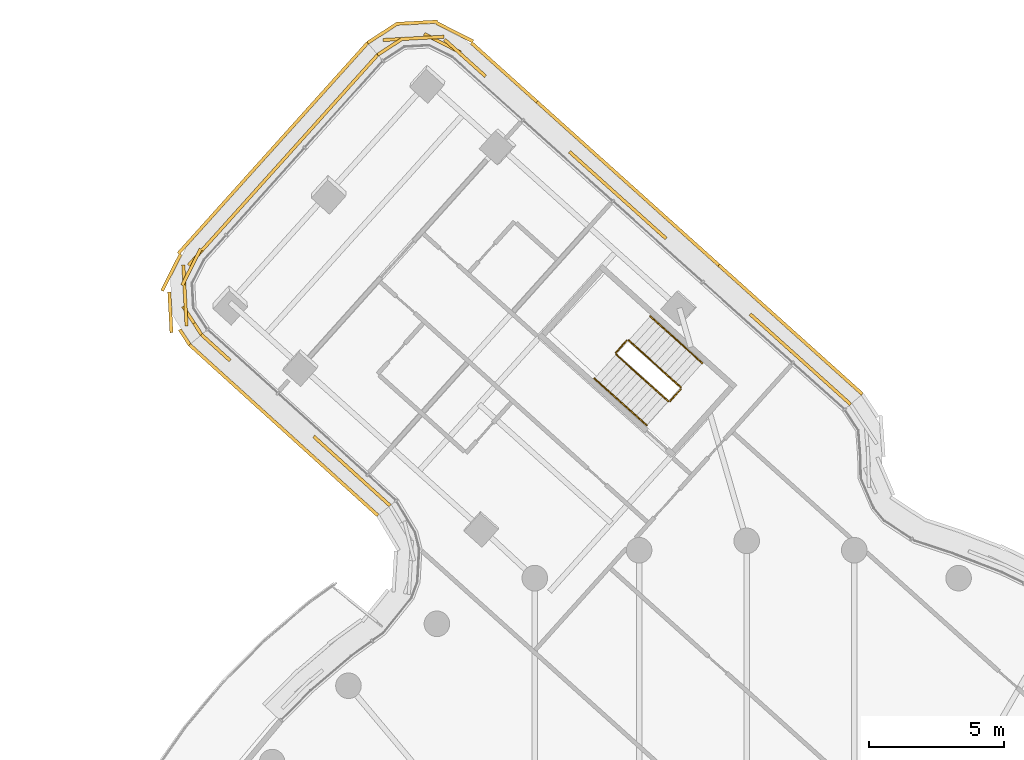
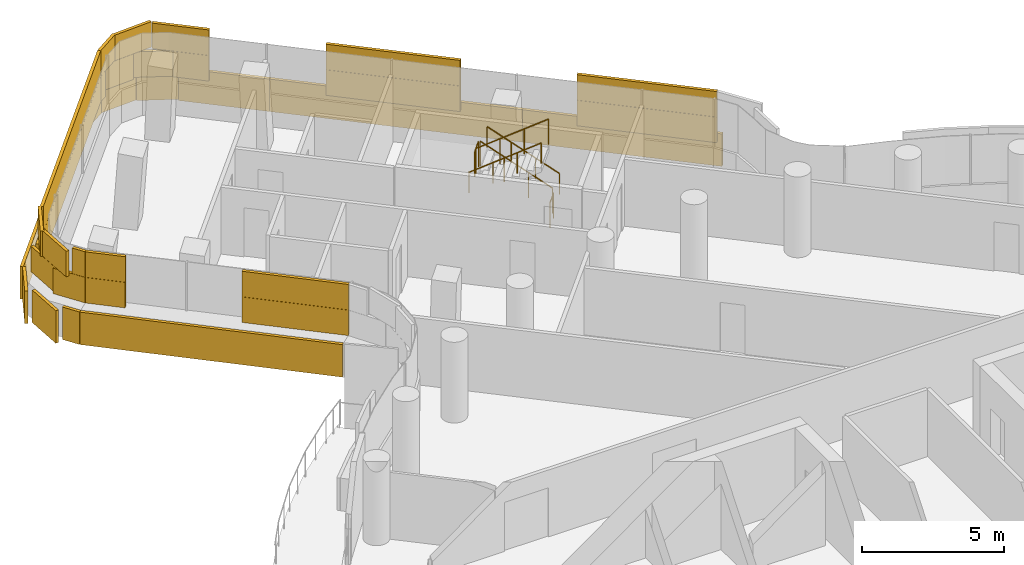
# One storey, part 29 of 31: 6 railings, 5 coverings.
"""IFC4 building model written with IfcOpenShell, lengths in metres."""

from ifc_helpers import new_model, si_unit, direction, frame, origin, origin_2d, place, context, subcontext, project, spatial, rectangle, circle, extrude, material, layer, layer_set, type_object, element, save


model = new_model("IFC4")

# Units and contexts
model_context = context("Model", 3, precision=1e-05, world=origin(), true_north=direction((0.0, 1.0)))
body_context = subcontext(model_context, "Body", "Model", "MODEL_VIEW")
ifc_project = project(units=[si_unit("LENGTHUNIT", "METRE"), si_unit("AREAUNIT", "SQUARE_METRE"), si_unit("VOLUMEUNIT", "CUBIC_METRE"), si_unit("PLANEANGLEUNIT", "RADIAN"), si_unit("MASSUNIT", "GRAM", prefix="KILO")], contexts=[model_context])

# Site, building, storey
site_placement = place(None, origin())
site = spatial("IfcSite", under=ifc_project, at=site_placement, CompositionType="ELEMENT")
building_placement = place(site_placement, origin())
building = spatial("IfcBuilding", under=site, at=building_placement, Name="Tamarind Cross Interchange Tower", CompositionType="ELEMENT")
storey_placement = place(building_placement, frame((0.0, 0.0, 207.699951171875)))
storey = spatial("IfcBuildingStorey", under=building, at=storey_placement, Name="L52", CompositionType="ELEMENT", Elevation=207.699951171875)

# Railings
ifc_material_1 = material(Name="Stair guard")
railing_type_1 = type_object("IfcRailingType", Name="Stair guard", PredefinedType="GUARDRAIL", material=ifc_material_1)
railing_1_placement = place(storey_placement, frame((-2.447265625, 28.702392578125, 0.16357421875)))
element("IfcRailing", 1, at=railing_1_placement, inside=storey, type_object=railing_type_1, Name="L52 ST4 stair guard 1", PredefinedType="GUARDRAIL", context=body_context, shape_type="SweptSolid", body=[
    extrude(circle(Radius=0.02392578125, at=origin_2d()), frame((0.0, 0.0, 1.076171875), z_axis=(-0.629535204476, 0.565643976958, 0.532665296087), x_axis=(-0.668352364513, -0.743844820409, 0.0)), (0.0, 0.0, 1.0), 3.072265625),
    extrude(circle(Radius=0.02099609375, at=origin_2d()), origin(), (0.0, 0.0, 1.0), 1.052001953125),
    extrude(circle(Radius=0.02099609375, at=origin_2d()), frame((-0.644775390625, 0.579345703125, 0.54541015625)), (0.0, 0.0, 1.0), 1.052001953125),
    extrude(circle(Radius=0.02099609375, at=origin_2d()), frame((-1.289306640625, 1.158447265625, 1.091064453125)), (0.0, 0.0, 1.0), 1.052001953125),
    extrude(circle(Radius=0.02099609375, at=origin_2d()), frame((-1.93408203125, 1.73779296875, 1.636474609375)), (0.0, 0.0, 1.0), 1.052001953125),
])
railing_2_placement = place(storey_placement, frame((-4.451904296875, 30.436279296875, 1.800048828125)))
element("IfcRailing", 2, at=railing_2_placement, inside=storey, type_object=railing_type_1, Name="L52 ST4 stair guard 2", PredefinedType="GUARDRAIL", context=body_context, shape_type="SweptSolid", body=[
    extrude(circle(Radius=0.02392578125, at=origin_2d()), frame((0.0, 0.0, 1.076171875), z_axis=(-0.668470058281, -0.743739054496, 0.0), x_axis=(0.743739054496, -0.668470058281, 0.0)), (0.0, 0.0, 1.0), 0.60009765625),
    extrude(circle(Radius=0.02099609375, at=origin_2d()), origin(), (0.0, 0.0, 1.0), 1.052001953125),
    extrude(circle(Radius=0.02099609375, at=origin_2d()), frame((-0.401123046875, -0.4462890625, 0.0)), (0.0, 0.0, 1.0), 1.052001953125),
])
railing_3_placement = place(storey_placement, frame((-4.84912109375, 29.91943359375, 1.963623046875)))
element("IfcRailing", 3, at=railing_3_placement, inside=storey, type_object=railing_type_1, Name="L52 ST4 stair guard 3", PredefinedType="GUARDRAIL", context=body_context, shape_type="SweptSolid", body=[
    extrude(circle(Radius=0.02392578125, at=origin_2d()), frame((0.0, 0.0, 1.076171875), z_axis=(0.629515526102, -0.565618229929, 0.532715890855), x_axis=(0.668347091093, 0.743849558599, 0.0)), (0.0, 0.0, 1.0), 3.072021484375),
    extrude(circle(Radius=0.02099609375, at=origin_2d()), origin(), (0.0, 0.0, 1.0), 1.052001953125),
    extrude(circle(Radius=0.02099609375, at=origin_2d()), frame((0.64453125, -0.5791015625, 0.54541015625)), (0.0, 0.0, 1.0), 1.052001953125),
    extrude(circle(Radius=0.02099609375, at=origin_2d()), frame((1.289306640625, -1.158447265625, 1.091064453125)), (0.0, 0.0, 1.0), 1.052001953125),
    extrude(circle(Radius=0.02099609375, at=origin_2d()), frame((1.933837890625, -1.737548828125, 1.636474609375)), (0.0, 0.0, 1.0), 1.052001953125),
])
railing_4_placement = place(storey_placement, frame((-2.443603515625, 28.6318359375, 0.0)))
element("IfcRailing", 4, at=railing_4_placement, inside=storey, type_object=railing_type_1, Name="L52 ST4 stair guard 4", PredefinedType="GUARDRAIL", context=body_context, shape_type="SweptSolid", body=[
    extrude(circle(Radius=0.02392578125, at=origin_2d()), frame((0.0, 0.0, 1.076171875), z_axis=(-0.668244913049, -0.743941352651, 0.0), x_axis=(0.743941352651, -0.668244913049, 0.0)), (0.0, 0.0, 1.0), 0.599853515625),
    extrude(circle(Radius=0.02099609375, at=origin_2d()), origin(), (0.0, 0.0, 1.0), 1.052001953125),
    extrude(circle(Radius=0.02099609375, at=origin_2d()), frame((-0.40087890625, -0.4462890625, 0.0)), (0.0, 0.0, 1.0), 1.052001953125),
])
ifc_material_2 = material(Name="Stair handrail")
railing_type_2 = type_object("IfcRailingType", Name="Stair handrail", PredefinedType="HANDRAIL", material=ifc_material_2)
railing_5_placement = place(storey_placement, frame((-1.645263671875, 29.594970703125, 0.16357421875)))
element("IfcRailing", 5, at=railing_5_placement, inside=storey, type_object=railing_type_2, Name="L52 ST4 stair handrail 1", PredefinedType="HANDRAIL", context=body_context, shape_type="SweptSolid", body=[
    extrude(circle(Radius=0.02392578125, at=origin_2d()), frame((0.0, 0.0, 0.8759765625), z_axis=(-0.629535204476, 0.565643976958, 0.532665296087), x_axis=(-0.668352364513, -0.743844820409, 0.0)), (0.0, 0.0, 1.0), 3.072265625),
    extrude(circle(Radius=0.02099609375, at=origin_2d()), origin(), (0.0, 0.0, 1.0), 0.851806640625),
    extrude(circle(Radius=0.02099609375, at=origin_2d()), frame((-0.644775390625, 0.579345703125, 0.54541015625)), (0.0, 0.0, 1.0), 0.851806640625),
    extrude(circle(Radius=0.02099609375, at=origin_2d()), frame((-1.289306640625, 1.158447265625, 1.091064453125)), (0.0, 0.0, 1.0), 0.851806640625),
    extrude(circle(Radius=0.02099609375, at=origin_2d()), frame((-1.93408203125, 1.73779296875, 1.636474609375)), (0.0, 0.0, 1.0), 0.851806640625),
])
railing_6_placement = place(storey_placement, frame((-5.651123046875, 29.02685546875, 1.963623046875)))
element("IfcRailing", 6, at=railing_6_placement, inside=storey, type_object=railing_type_2, Name="L52 ST4 stair handrail 2", PredefinedType="HANDRAIL", context=body_context, shape_type="SweptSolid", body=[
    extrude(circle(Radius=0.02392578125, at=origin_2d()), frame((0.0, 0.0, 0.8759765625), z_axis=(0.629487227987, -0.565672274815, 0.532691944098), x_axis=(0.66839904694, 0.743802873112, 0.0)), (0.0, 0.0, 1.0), 3.072021484375),
    extrude(circle(Radius=0.02099609375, at=origin_2d()), origin(), (0.0, 0.0, 1.0), 0.851806640625),
    extrude(circle(Radius=0.02099609375, at=origin_2d()), frame((0.64453125, -0.579345703125, 0.54541015625)), (0.0, 0.0, 1.0), 0.851806640625),
    extrude(circle(Radius=0.02099609375, at=origin_2d()), frame((1.289306640625, -1.158447265625, 1.091064453125)), (0.0, 0.0, 1.0), 0.851806640625),
    extrude(circle(Radius=0.02099609375, at=origin_2d()), frame((1.933837890625, -1.73779296875, 1.636474609375)), (0.0, 0.0, 1.0), 0.851806640625),
])

# Coverings
ifc_material_3 = material(Name="Terracotta", Category="masonry")
ifc_layer = layer(ifc_material_3, 0.1201171875)
ifc_layer_set = layer_set([ifc_layer], Name="Terracotta")
covering_type = type_object("IfcCoveringType", Name="Terracotta baguette screen unit", PredefinedType="MOLDING", material=ifc_layer_set)
covering_1_placement = place(storey_placement, origin())
element("IfcCovering", 7, at=covering_1_placement, inside=storey, type_object=covering_type, Name="SCR-L52-07-00", PredefinedType="MOLDING", context=body_context, shape_type="SweptSolid", body=[
    extrude(rectangle(XDim=1.510009765625, YDim=0.1201171875, at=origin_2d()), frame((3.29736328125, 28.56884765625, 1.40380859375), z_axis=(0.0, 0.0, 1.0), x_axis=(-0.743854461689, 0.668341634065, 0.0)), (0.0, 0.0, 1.0), 1.092041015625),
    extrude(rectangle(XDim=1.52001953125, YDim=0.1201171875, at=origin_2d()), frame((2.181396484375, 29.5712890625, 1.40380859375), z_axis=(0.0, 0.0, 1.0), x_axis=(-0.743854461689, 0.668341634065, 0.0)), (0.0, 0.0, 1.0), 1.092041015625),
    extrude(rectangle(XDim=1.52001953125, YDim=0.1201171875, at=origin_2d()), frame((1.065673828125, 30.573974609375, 1.40380859375), z_axis=(0.0, 0.0, 1.0), x_axis=(-0.743854461689, 0.668341634065, 0.0)), (0.0, 0.0, 1.0), 1.092041015625),
    extrude(rectangle(XDim=0.519287109375, YDim=0.1201171875, at=origin_2d()), frame((0.318359375, 31.245361328125, 1.40380859375), z_axis=(0.0, 0.0, 1.0), x_axis=(-0.743854461689, 0.668341634065, 0.0)), (0.0, 0.0, 1.0), 1.092041015625),
    extrude(rectangle(XDim=0.760009765625, YDim=0.1201171875, at=origin_2d()), frame((3.576171875, 28.318359375, 2.50390625), z_axis=(0.0, 0.0, 1.0), x_axis=(-0.743854461689, 0.668341634065, 0.0)), (0.0, 0.0, 1.0), 1.092041015625),
    extrude(rectangle(XDim=1.52001953125, YDim=0.1201171875, at=origin_2d()), frame((2.739501953125, 29.070068359375, 2.50390625), z_axis=(0.0, 0.0, 1.0), x_axis=(-0.743854461689, 0.668341634065, 0.0)), (0.0, 0.0, 1.0), 1.092041015625),
    extrude(rectangle(XDim=1.52001953125, YDim=0.1201171875, at=origin_2d()), frame((1.62353515625, 30.07275390625, 2.50390625), z_axis=(0.0, 0.0, 1.0), x_axis=(-0.743854461689, 0.668341634065, 0.0)), (0.0, 0.0, 1.0), 1.092041015625),
    extrude(rectangle(XDim=1.269287109375, YDim=0.1201171875, at=origin_2d()), frame((0.597412109375, 30.99462890625, 2.50390625), z_axis=(0.0, 0.0, 1.0), x_axis=(-0.743854461689, 0.668341634065, 0.0)), (0.0, 0.0, 1.0), 1.092041015625),
    extrude(rectangle(XDim=1.510009765625, YDim=0.1201171875, at=origin_2d()), frame((3.731689453125, 28.9501953125, 0.00390625), z_axis=(0.0, 0.0, 1.0), x_axis=(-0.743854461689, 0.668341634065, 0.0)), (0.0, 0.0, 1.0), 1.39208984375),
    extrude(rectangle(XDim=1.52001953125, YDim=0.1201171875, at=origin_2d()), frame((2.61962890625, 29.94921875, 0.00390625), z_axis=(0.0, 0.0, 1.0), x_axis=(-0.743854461689, 0.668341634065, 0.0)), (0.0, 0.0, 1.0), 1.39208984375),
    extrude(rectangle(XDim=1.52001953125, YDim=0.1201171875, at=origin_2d()), frame((1.50390625, 30.951904296875, 0.00390625), z_axis=(0.0, 0.0, 1.0), x_axis=(-0.743854461689, 0.668341634065, 0.0)), (0.0, 0.0, 1.0), 1.39208984375),
    extrude(rectangle(XDim=1.52001953125, YDim=0.1201171875, at=origin_2d()), frame((0.38818359375, 31.954345703125, 0.00390625), z_axis=(0.0, 0.0, 1.0), x_axis=(-0.743854461689, 0.668341634065, 0.0)), (0.0, 0.0, 1.0), 1.39208984375),
    extrude(rectangle(XDim=1.17333984375, YDim=0.1201171875, at=origin_2d()), frame((-0.5986328125, 32.841064453125, 0.00390625), z_axis=(0.0, 0.0, 1.0), x_axis=(-0.743854461689, 0.668341634065, 0.0)), (0.0, 0.0, 1.0), 1.39208984375),
])
covering_2_placement = place(storey_placement, origin())
element("IfcCovering", 8, at=covering_2_placement, inside=storey, type_object=covering_type, Name="SCR-L52-07-01", PredefinedType="MOLDING", context=body_context, shape_type="SweptSolid", body=[
    extrude(rectangle(XDim=1.300537109375, YDim=0.1201171875, at=origin_2d()), frame((-3.475341796875, 34.65380859375, 1.40380859375), z_axis=(0.0, 0.0, 1.0), x_axis=(-0.743854461689, 0.668341634065, 0.0)), (0.0, 0.0, 1.0), 1.092041015625),
    extrude(rectangle(XDim=1.52001953125, YDim=0.1201171875, at=origin_2d()), frame((-4.51318359375, 35.58642578125, 1.40380859375), z_axis=(0.0, 0.0, 1.0), x_axis=(-0.743854461689, 0.668341634065, 0.0)), (0.0, 0.0, 1.0), 1.092041015625),
    extrude(rectangle(XDim=1.52001953125, YDim=0.1201171875, at=origin_2d()), frame((-5.62890625, 36.5888671875, 1.40380859375), z_axis=(0.0, 0.0, 1.0), x_axis=(-0.743854461689, 0.668341634065, 0.0)), (0.0, 0.0, 1.0), 1.092041015625),
    extrude(rectangle(XDim=0.530029296875, YDim=0.1201171875, at=origin_2d()), frame((-6.38037109375, 37.263916015625, 1.40380859375), z_axis=(0.0, 0.0, 1.0), x_axis=(-0.743854461689, 0.668341634065, 0.0)), (0.0, 0.0, 1.0), 1.092041015625),
    extrude(rectangle(XDim=0.550537109375, YDim=0.1201171875, at=origin_2d()), frame((-3.1962890625, 34.4033203125, 2.50390625), z_axis=(0.0, 0.0, 1.0), x_axis=(-0.743854461689, 0.668341634065, 0.0)), (0.0, 0.0, 1.0), 1.092041015625),
    extrude(rectangle(XDim=1.52001953125, YDim=0.1201171875, at=origin_2d()), frame((-3.955322265625, 35.085205078125, 2.50390625), z_axis=(0.0, 0.0, 1.0), x_axis=(-0.743854461689, 0.668341634065, 0.0)), (0.0, 0.0, 1.0), 1.092041015625),
    extrude(rectangle(XDim=1.52001953125, YDim=0.1201171875, at=origin_2d()), frame((-5.071044921875, 36.087646484375, 2.50390625), z_axis=(0.0, 0.0, 1.0), x_axis=(-0.743854461689, 0.668341634065, 0.0)), (0.0, 0.0, 1.0), 1.092041015625),
    extrude(rectangle(XDim=1.280029296875, YDim=0.1201171875, at=origin_2d()), frame((-6.101318359375, 37.013427734375, 2.50390625), z_axis=(0.0, 0.0, 1.0), x_axis=(-0.743854461689, 0.668341634065, 0.0)), (0.0, 0.0, 1.0), 1.092041015625),
    extrude(rectangle(XDim=0.3466796875, YDim=0.1201171875, at=origin_2d()), frame((-1.1640625, 33.348876953125, 0.00390625), z_axis=(0.0, 0.0, 1.0), x_axis=(-0.743854461689, 0.668341634065, 0.0)), (0.0, 0.0, 1.0), 1.39208984375),
    extrude(rectangle(XDim=1.52001953125, YDim=0.1201171875, at=origin_2d()), frame((-1.843505859375, 33.95947265625, 0.00390625), z_axis=(0.0, 0.0, 1.0), x_axis=(-0.743854461689, 0.668341634065, 0.0)), (0.0, 0.0, 1.0), 1.39208984375),
    extrude(rectangle(XDim=1.52001953125, YDim=0.1201171875, at=origin_2d()), frame((-2.959228515625, 34.9619140625, 0.00390625), z_axis=(0.0, 0.0, 1.0), x_axis=(-0.743854461689, 0.668341634065, 0.0)), (0.0, 0.0, 1.0), 1.39208984375),
    extrude(rectangle(XDim=1.52001953125, YDim=0.1201171875, at=origin_2d()), frame((-4.074951171875, 35.96435546875, 0.00390625), z_axis=(0.0, 0.0, 1.0), x_axis=(-0.743854461689, 0.668341634065, 0.0)), (0.0, 0.0, 1.0), 1.39208984375),
    extrude(rectangle(XDim=1.52001953125, YDim=0.1201171875, at=origin_2d()), frame((-5.190673828125, 36.967041015625, 0.00390625), z_axis=(0.0, 0.0, 1.0), x_axis=(-0.743854461689, 0.668341634065, 0.0)), (0.0, 0.0, 1.0), 1.39208984375),
    extrude(rectangle(XDim=1.52001953125, YDim=0.1201171875, at=origin_2d()), frame((-6.306640625, 37.969482421875, 0.00390625), z_axis=(0.0, 0.0, 1.0), x_axis=(-0.743854461689, 0.668341634065, 0.0)), (0.0, 0.0, 1.0), 1.39208984375),
    extrude(rectangle(XDim=1.252197265625, YDim=0.1201171875, at=origin_2d()), frame((-7.32275390625, 38.882568359375, 0.00390625), z_axis=(0.0, 0.0, 1.0), x_axis=(-0.743854461689, 0.668341634065, 0.0)), (0.0, 0.0, 1.0), 1.39208984375),
])
covering_3_placement = place(storey_placement, origin())
element("IfcCovering", 9, at=covering_3_placement, inside=storey, type_object=covering_type, Name="SCR-L52-07-02", PredefinedType="MOLDING", context=body_context, shape_type="SweptSolid", body=[
    extrude(rectangle(XDim=1.2900390625, YDim=0.1201171875, at=origin_2d()), frame((-10.174072265625, 40.672607421875, 1.40380859375), z_axis=(0.0, 0.0, 1.0), x_axis=(-0.743854461689, 0.668341634065, 0.0)), (0.0, 0.0, 1.0), 1.092041015625),
    extrude(rectangle(XDim=1.52001953125, YDim=0.1201171875, at=origin_2d()), frame((-11.296142578125, 41.47265625, 1.40380859375), z_axis=(0.0, 0.0, 1.0), x_axis=(-0.891487779077, 0.453044743658, 0.0)), (0.0, 0.0, 1.0), 1.092041015625),
    extrude(rectangle(XDim=1.52001953125, YDim=0.1201171875, at=origin_2d()), frame((-12.743408203125, 41.6318359375, 1.40380859375), z_axis=(0.0, 0.0, 1.0), x_axis=(-0.998573435673, -0.053395632479, 0.0)), (0.0, 0.0, 1.0), 1.092041015625),
    extrude(rectangle(XDim=0.387451171875, YDim=0.1201171875, at=origin_2d()), frame((-13.539306640625, 41.1474609375, 1.40380859375), z_axis=(0.0, 0.0, 1.0), x_axis=(-0.838092146598, -0.545528692015, 0.0)), (0.0, 0.0, 1.0), 1.092041015625),
    extrude(rectangle(XDim=0.5400390625, YDim=0.1201171875, at=origin_2d()), frame((-9.89501953125, 40.421875, 2.50390625), z_axis=(0.0, 0.0, 1.0), x_axis=(-0.743854461689, 0.668341634065, 0.0)), (0.0, 0.0, 1.0), 1.092041015625),
    extrude(rectangle(XDim=1.52001953125, YDim=0.1201171875, at=origin_2d()), frame((-10.64990234375, 41.100341796875, 2.50390625), z_axis=(0.0, 0.0, 1.0), x_axis=(-0.743854461689, 0.668341634065, 0.0)), (0.0, 0.0, 1.0), 1.092041015625),
    extrude(rectangle(XDim=1.52001953125, YDim=0.1201171875, at=origin_2d()), frame((-11.99462890625, 41.671875, 2.50390625), z_axis=(0.0, 0.0, 1.0), x_axis=(-0.998573435673, -0.053395632479, 0.0)), (0.0, 0.0, 1.0), 1.092041015625),
    extrude(rectangle(XDim=1.137451171875, YDim=0.1201171875, at=origin_2d()), frame((-13.224853515625, 41.35205078125, 2.50390625), z_axis=(0.0, 0.0, 1.0), x_axis=(-0.838092146598, -0.545528692015, 0.0)), (0.0, 0.0, 1.0), 1.092041015625),
    extrude(rectangle(XDim=0.267822265625, YDim=0.1201171875, at=origin_2d()), frame((-7.88818359375, 39.390380859375, 0.00390625), z_axis=(0.0, 0.0, 1.0), x_axis=(-0.743854461689, 0.668341634065, 0.0)), (0.0, 0.0, 1.0), 1.39208984375),
    extrude(rectangle(XDim=1.52001953125, YDim=0.1201171875, at=origin_2d()), frame((-8.5380859375, 39.974365234375, 0.00390625), z_axis=(0.0, 0.0, 1.0), x_axis=(-0.743854461689, 0.668341634065, 0.0)), (0.0, 0.0, 1.0), 1.39208984375),
    extrude(rectangle(XDim=1.52001953125, YDim=0.1201171875, at=origin_2d()), frame((-9.65380859375, 40.97705078125, 0.00390625), z_axis=(0.0, 0.0, 1.0), x_axis=(-0.743854461689, 0.668341634065, 0.0)), (0.0, 0.0, 1.0), 1.39208984375),
    extrude(rectangle(XDim=1.52001953125, YDim=0.1201171875, at=origin_2d()), frame((-10.836181640625, 41.882568359375, 0.00390625), z_axis=(0.0, 0.0, 1.0), x_axis=(-0.891487779077, 0.453044743658, 0.0)), (0.0, 0.0, 1.0), 1.39208984375),
    extrude(rectangle(XDim=1.52001953125, YDim=0.1201171875, at=origin_2d()), frame((-12.242919921875, 42.233642578125, 0.00390625), z_axis=(0.0, 0.0, 1.0), x_axis=(-0.998573435673, -0.053395632479, 0.0)), (0.0, 0.0, 1.0), 1.39208984375),
    extrude(rectangle(XDim=1.302734375, YDim=0.1201171875, at=origin_2d()), frame((-13.528076171875, 41.839599609375, 0.00390625), z_axis=(0.0, 0.0, 1.0), x_axis=(-0.838092146598, -0.545528692015, 0.0)), (0.0, 0.0, 1.0), 1.39208984375),
])
covering_4_placement = place(storey_placement, origin())
element("IfcCovering", 10, at=covering_4_placement, inside=storey, type_object=covering_type, Name="SCR-L52-08-00", PredefinedType="MOLDING", context=body_context, shape_type="SweptSolid", body=[
    extrude(rectangle(XDim=1.510009765625, YDim=0.1201171875, at=origin_2d()), frame((-14.19873046875, 40.486572265625, 1.40380859375), z_axis=(0.0, 0.0, 1.0), x_axis=(-0.668341634065, -0.743854461689, 0.0)), (0.0, 0.0, 1.0), 1.092041015625),
    extrude(rectangle(XDim=1.52001953125, YDim=0.1201171875, at=origin_2d()), frame((-15.201171875, 39.370849609375, 1.40380859375), z_axis=(0.0, 0.0, 1.0), x_axis=(-0.668341634065, -0.743854461689, 0.0)), (0.0, 0.0, 1.0), 1.092041015625),
    extrude(rectangle(XDim=1.52001953125, YDim=0.1201171875, at=origin_2d()), frame((-16.20361328125, 38.255126953125, 1.40380859375), z_axis=(0.0, 0.0, 1.0), x_axis=(-0.668341634065, -0.743854461689, 0.0)), (0.0, 0.0, 1.0), 1.092041015625),
    extrude(rectangle(XDim=1.52001953125, YDim=0.1201171875, at=origin_2d()), frame((-17.2060546875, 37.139404296875, 1.40380859375), z_axis=(0.0, 0.0, 1.0), x_axis=(-0.668341634065, -0.743854461689, 0.0)), (0.0, 0.0, 1.0), 1.092041015625),
    extrude(rectangle(XDim=1.52001953125, YDim=0.1201171875, at=origin_2d()), frame((-18.208740234375, 36.0234375, 1.40380859375), z_axis=(0.0, 0.0, 1.0), x_axis=(-0.668341634065, -0.743854461689, 0.0)), (0.0, 0.0, 1.0), 1.092041015625),
    extrude(rectangle(XDim=1.52001953125, YDim=0.1201171875, at=origin_2d()), frame((-19.211181640625, 34.90771484375, 1.40380859375), z_axis=(0.0, 0.0, 1.0), x_axis=(-0.668341634065, -0.743854461689, 0.0)), (0.0, 0.0, 1.0), 1.092041015625),
    extrude(rectangle(XDim=1.52001953125, YDim=0.1201171875, at=origin_2d()), frame((-20.213623046875, 33.7919921875, 1.40380859375), z_axis=(0.0, 0.0, 1.0), x_axis=(-0.668341634065, -0.743854461689, 0.0)), (0.0, 0.0, 1.0), 1.092041015625),
    extrude(rectangle(XDim=1.52001953125, YDim=0.1201171875, at=origin_2d()), frame((-20.873779296875, 32.478515625, 1.40380859375), z_axis=(0.0, 0.0, 1.0), x_axis=(0.053395632479, -0.998573435673, 0.0)), (0.0, 0.0, 1.0), 1.092041015625),
    extrude(rectangle(XDim=1.259521484375, YDim=0.1201171875, at=origin_2d()), frame((-20.58056640625, 31.177490234375, 1.40380859375), z_axis=(0.0, 0.0, 1.0), x_axis=(0.545528692015, -0.838092146598, 0.0)), (0.0, 0.0, 1.0), 1.092041015625),
    extrude(rectangle(XDim=0.760009765625, YDim=0.1201171875, at=origin_2d()), frame((-13.947998046875, 40.765625, 2.50390625), z_axis=(0.0, 0.0, 1.0), x_axis=(-0.668341634065, -0.743854461689, 0.0)), (0.0, 0.0, 1.0), 1.092041015625),
    extrude(rectangle(XDim=1.52001953125, YDim=0.1201171875, at=origin_2d()), frame((-14.699951171875, 39.9287109375, 2.50390625), z_axis=(0.0, 0.0, 1.0), x_axis=(-0.668341634065, -0.743854461689, 0.0)), (0.0, 0.0, 1.0), 1.092041015625),
    extrude(rectangle(XDim=1.52001953125, YDim=0.1201171875, at=origin_2d()), frame((-15.702392578125, 38.81298828125, 2.50390625), z_axis=(0.0, 0.0, 1.0), x_axis=(-0.668341634065, -0.743854461689, 0.0)), (0.0, 0.0, 1.0), 1.092041015625),
    extrude(rectangle(XDim=1.52001953125, YDim=0.1201171875, at=origin_2d()), frame((-16.704833984375, 37.697265625, 2.50390625), z_axis=(0.0, 0.0, 1.0), x_axis=(-0.668341634065, -0.743854461689, 0.0)), (0.0, 0.0, 1.0), 1.092041015625),
    extrude(rectangle(XDim=1.52001953125, YDim=0.1201171875, at=origin_2d()), frame((-17.70751953125, 36.58154296875, 2.50390625), z_axis=(0.0, 0.0, 1.0), x_axis=(-0.668341634065, -0.743854461689, 0.0)), (0.0, 0.0, 1.0), 1.092041015625),
    extrude(rectangle(XDim=1.52001953125, YDim=0.1201171875, at=origin_2d()), frame((-18.7099609375, 35.465576171875, 2.50390625), z_axis=(0.0, 0.0, 1.0), x_axis=(-0.668341634065, -0.743854461689, 0.0)), (0.0, 0.0, 1.0), 1.092041015625),
    extrude(rectangle(XDim=1.52001953125, YDim=0.1201171875, at=origin_2d()), frame((-19.71240234375, 34.349853515625, 2.50390625), z_axis=(0.0, 0.0, 1.0), x_axis=(-0.668341634065, -0.743854461689, 0.0)), (0.0, 0.0, 1.0), 1.092041015625),
    extrude(rectangle(XDim=1.52001953125, YDim=0.1201171875, at=origin_2d()), frame((-20.6123046875, 33.163818359375, 2.50390625), z_axis=(0.0, 0.0, 1.0), x_axis=(-0.453044743658, -0.891487779077, 0.0)), (0.0, 0.0, 1.0), 1.092041015625),
    extrude(rectangle(XDim=1.52001953125, YDim=0.1201171875, at=origin_2d()), frame((-20.833740234375, 31.729736328125, 2.50390625), z_axis=(0.0, 0.0, 1.0), x_axis=(0.053395632479, -0.998573435673, 0.0)), (0.0, 0.0, 1.0), 1.092041015625),
    extrude(rectangle(XDim=0.509521484375, YDim=0.1201171875, at=origin_2d()), frame((-20.3759765625, 30.863037109375, 2.50390625), z_axis=(0.0, 0.0, 1.0), x_axis=(0.545528692015, -0.838092146598, 0.0)), (0.0, 0.0, 1.0), 1.092041015625),
    extrude(rectangle(XDim=1.510009765625, YDim=0.1201171875, at=origin_2d()), frame((-14.578369140625, 40.9228515625, 0.00390625), z_axis=(0.0, 0.0, 1.0), x_axis=(-0.668341634065, -0.743854461689, 0.0)), (0.0, 0.0, 1.0), 1.39208984375),
    extrude(rectangle(XDim=1.52001953125, YDim=0.1201171875, at=origin_2d()), frame((-15.57763671875, 39.810791015625, 0.00390625), z_axis=(0.0, 0.0, 1.0), x_axis=(-0.668341634065, -0.743854461689, 0.0)), (0.0, 0.0, 1.0), 1.39208984375),
    extrude(rectangle(XDim=1.52001953125, YDim=0.1201171875, at=origin_2d()), frame((-16.580078125, 38.69482421875, 0.00390625), z_axis=(0.0, 0.0, 1.0), x_axis=(-0.668341634065, -0.743854461689, 0.0)), (0.0, 0.0, 1.0), 1.39208984375),
    extrude(rectangle(XDim=1.52001953125, YDim=0.1201171875, at=origin_2d()), frame((-17.58251953125, 37.5791015625, 0.00390625), z_axis=(0.0, 0.0, 1.0), x_axis=(-0.668341634065, -0.743854461689, 0.0)), (0.0, 0.0, 1.0), 1.39208984375),
    extrude(rectangle(XDim=1.52001953125, YDim=0.1201171875, at=origin_2d()), frame((-18.585205078125, 36.46337890625, 0.00390625), z_axis=(0.0, 0.0, 1.0), x_axis=(-0.668341634065, -0.743854461689, 0.0)), (0.0, 0.0, 1.0), 1.39208984375),
    extrude(rectangle(XDim=1.52001953125, YDim=0.1201171875, at=origin_2d()), frame((-19.587646484375, 35.34765625, 0.00390625), z_axis=(0.0, 0.0, 1.0), x_axis=(-0.668341634065, -0.743854461689, 0.0)), (0.0, 0.0, 1.0), 1.39208984375),
    extrude(rectangle(XDim=1.52001953125, YDim=0.1201171875, at=origin_2d()), frame((-20.590087890625, 34.23193359375, 0.00390625), z_axis=(0.0, 0.0, 1.0), x_axis=(-0.668341634065, -0.743854461689, 0.0)), (0.0, 0.0, 1.0), 1.39208984375),
    extrude(rectangle(XDim=1.52001953125, YDim=0.1201171875, at=origin_2d()), frame((-21.361328125, 32.957275390625, 0.00390625), z_axis=(0.0, 0.0, 1.0), x_axis=(-0.453044743658, -0.891487779077, 0.0)), (0.0, 0.0, 1.0), 1.39208984375),
    extrude(rectangle(XDim=1.52001953125, YDim=0.1201171875, at=origin_2d()), frame((-21.395263671875, 31.483642578125, 0.00390625), z_axis=(0.0, 0.0, 1.0), x_axis=(0.053395632479, -0.998573435673, 0.0)), (0.0, 0.0, 1.0), 1.39208984375),
    extrude(rectangle(XDim=0.675537109375, YDim=0.1201171875, at=origin_2d()), frame((-20.86474609375, 30.5615234375, 0.00390625), z_axis=(0.0, 0.0, 1.0), x_axis=(0.545528692015, -0.838092146598, 0.0)), (0.0, 0.0, 1.0), 1.39208984375),
])
covering_5_placement = place(storey_placement, origin())
element("IfcCovering", 11, at=covering_5_placement, inside=storey, type_object=covering_type, Name="SCR-L52-09-00", PredefinedType="MOLDING", context=body_context, shape_type="SweptSolid", body=[
    extrude(rectangle(XDim=1.426513671875, YDim=0.1201171875, at=origin_2d()), frame((-19.71142578125, 30.174560546875, 1.40380859375), z_axis=(0.0, 0.0, 1.0), x_axis=(0.74074145134, -0.671790221919, 0.0)), (0.0, 0.0, 1.0), 1.092041015625),
    extrude(rectangle(XDim=0.383544921875, YDim=0.1201171875, at=origin_2d()), frame((-15.933837890625, 26.74853515625, 1.40380859375), z_axis=(0.0, 0.0, 1.0), x_axis=(0.74074145134, -0.671790221919, 0.0)), (0.0, 0.0, 1.0), 1.092041015625),
    extrude(rectangle(XDim=1.52001953125, YDim=0.1201171875, at=origin_2d()), frame((-15.23974609375, 26.119140625, 1.40380859375), z_axis=(0.0, 0.0, 1.0), x_axis=(0.74074145134, -0.671790221919, 0.0)), (0.0, 0.0, 1.0), 1.092041015625),
    extrude(rectangle(XDim=1.52001953125, YDim=0.1201171875, at=origin_2d()), frame((-14.128662109375, 25.111572265625, 1.40380859375), z_axis=(0.0, 0.0, 1.0), x_axis=(0.74074145134, -0.671790221919, 0.0)), (0.0, 0.0, 1.0), 1.092041015625),
    extrude(rectangle(XDim=0.458740234375, YDim=0.1201171875, at=origin_2d()), frame((-13.406982421875, 24.45703125, 1.40380859375), z_axis=(0.0, 0.0, 1.0), x_axis=(0.74074145134, -0.671790221919, 0.0)), (0.0, 0.0, 1.0), 1.092041015625),
    extrude(rectangle(XDim=0.760009765625, YDim=0.1201171875, at=origin_2d()), frame((-19.962158203125, 30.40185546875, 2.50390625), z_axis=(0.0, 0.0, 1.0), x_axis=(0.74074145134, -0.671790221919, 0.0)), (0.0, 0.0, 1.0), 1.092041015625),
    extrude(rectangle(XDim=0.6865234375, YDim=0.1201171875, at=origin_2d()), frame((-19.433837890625, 29.9228515625, 2.50390625), z_axis=(0.0, 0.0, 1.0), x_axis=(0.74074145134, -0.671790221919, 0.0)), (0.0, 0.0, 1.0), 1.092041015625),
    extrude(rectangle(XDim=1.133544921875, YDim=0.1201171875, at=origin_2d()), frame((-15.656005859375, 26.49658203125, 2.50390625), z_axis=(0.0, 0.0, 1.0), x_axis=(0.74074145134, -0.671790221919, 0.0)), (0.0, 0.0, 1.0), 1.092041015625),
    extrude(rectangle(XDim=1.52001953125, YDim=0.1201171875, at=origin_2d()), frame((-14.684326171875, 25.615478515625, 2.50390625), z_axis=(0.0, 0.0, 1.0), x_axis=(0.74074145134, -0.671790221919, 0.0)), (0.0, 0.0, 1.0), 1.092041015625),
    extrude(rectangle(XDim=1.208740234375, YDim=0.1201171875, at=origin_2d()), frame((-13.684814453125, 24.708984375, 2.50390625), z_axis=(0.0, 0.0, 1.0), x_axis=(0.74074145134, -0.671790221919, 0.0)), (0.0, 0.0, 1.0), 1.092041015625),
    extrude(rectangle(XDim=1.510009765625, YDim=0.1201171875, at=origin_2d()), frame((-20.12109375, 29.771240234375, 0.00390625), z_axis=(0.0, 0.0, 1.0), x_axis=(0.74074145134, -0.671790221919, 0.0)), (0.0, 0.0, 1.0), 1.39208984375),
    extrude(rectangle(XDim=1.52001953125, YDim=0.1201171875, at=origin_2d()), frame((-19.013671875, 28.766845703125, 0.00390625), z_axis=(0.0, 0.0, 1.0), x_axis=(0.74074145134, -0.671790221919, 0.0)), (0.0, 0.0, 1.0), 1.39208984375),
    extrude(rectangle(XDim=1.52001953125, YDim=0.1201171875, at=origin_2d()), frame((-17.902587890625, 27.75927734375, 0.00390625), z_axis=(0.0, 0.0, 1.0), x_axis=(0.74074145134, -0.671790221919, 0.0)), (0.0, 0.0, 1.0), 1.39208984375),
    extrude(rectangle(XDim=1.52001953125, YDim=0.1201171875, at=origin_2d()), frame((-16.79150390625, 26.75146484375, 0.00390625), z_axis=(0.0, 0.0, 1.0), x_axis=(0.74074145134, -0.671790221919, 0.0)), (0.0, 0.0, 1.0), 1.39208984375),
    extrude(rectangle(XDim=1.52001953125, YDim=0.1201171875, at=origin_2d()), frame((-15.680419921875, 25.743896484375, 0.00390625), z_axis=(0.0, 0.0, 1.0), x_axis=(0.74074145134, -0.671790221919, 0.0)), (0.0, 0.0, 1.0), 1.39208984375),
    extrude(rectangle(XDim=1.52001953125, YDim=0.1201171875, at=origin_2d()), frame((-14.5693359375, 24.736083984375, 0.00390625), z_axis=(0.0, 0.0, 1.0), x_axis=(0.74074145134, -0.671790221919, 0.0)), (0.0, 0.0, 1.0), 1.39208984375),
    extrude(rectangle(XDim=0.447998046875, YDim=0.1201171875, at=origin_2d()), frame((-13.855224609375, 24.088623046875, 0.00390625), z_axis=(0.0, 0.0, 1.0), x_axis=(0.74074145134, -0.671790221919, 0.0)), (0.0, 0.0, 1.0), 1.39208984375),
])

save(model, "model.ifc")
